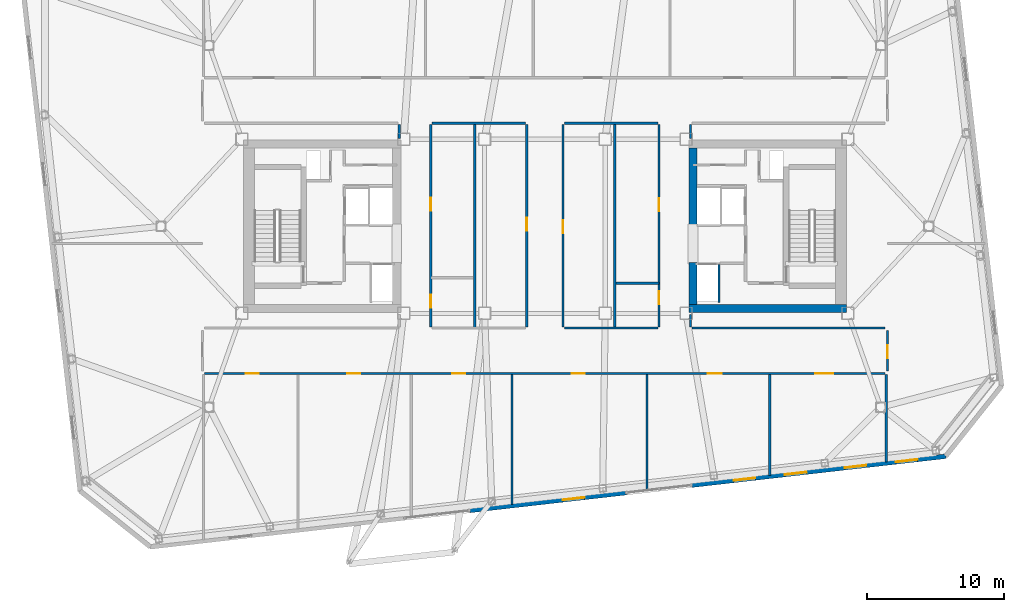
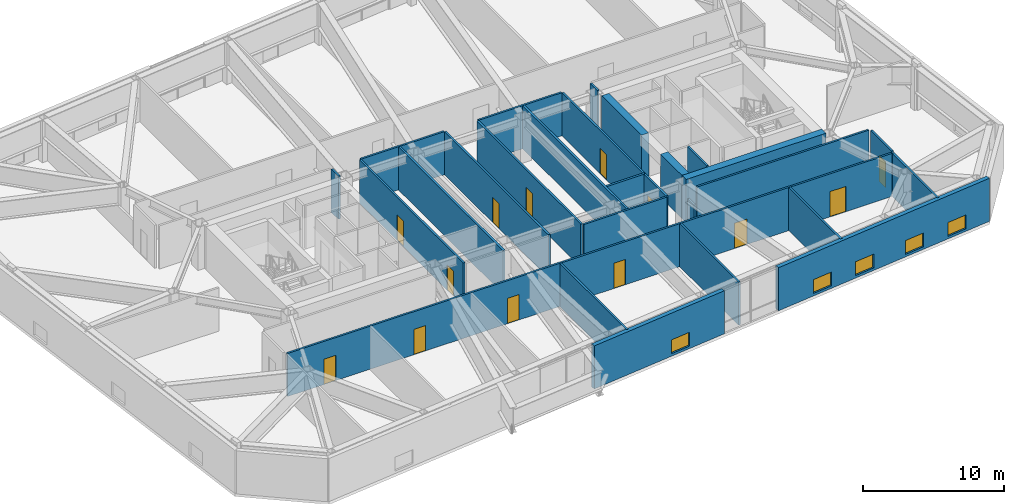
# One storey, part 13 of 20: 26 walls, 13 doors, 5 windows, 18 openings.
"""IFC4 building model written with IfcOpenShell, lengths in metres."""

import ifcopenshell
import ifcopenshell.guid

model = None  # the IFC model being written
_history = None  # IfcOwnerHistory: only IFC2X3 demands one
_inside = {}  # id of a spatial element -> (the spatial element, [elements in it])
_under = {}  # id of a project, library or spatial element -> (it, [spatial elements below it])
_declared = {}  # id of a project -> (the project, [libraries it declares])
_typed = {}  # id of a type object -> (the type object, [elements of that type])
_made_of = {}  # id of a material, layer set ... -> (it, [elements and type objects made of it])


def new_model(schema):
    """Start an empty IFC model of exactly this schema.

    Asked for "IFC4X3", IfcOpenShell would pick the latest addendum, in which some entities
    have other attributes; the version numbers below select the first issue.
    IFC2X3 requires an IfcOwnerHistory on every rooted entity: one is made here for all.
    """
    global model, _history
    if schema == "IFC4X3":
        model = ifcopenshell.file(schema_version=(4, 3, 0, 0))
    else:
        model = ifcopenshell.file(schema=schema)
    _inside.clear()
    _under.clear()
    _declared.clear()
    _typed.clear()
    _made_of.clear()
    _history = None
    if model.schema == "IFC2X3":
        org = make("IfcOrganization", Name="unknown")
        user = make(
            "IfcPersonAndOrganization",
            ThePerson=make("IfcPerson", FamilyName="unknown"),
            TheOrganization=org,
        )
        app = make(
            "IfcApplication",
            ApplicationDeveloper=org,
            Version="unknown",
            ApplicationFullName="unknown",
            ApplicationIdentifier="unknown",
        )
        _history = make(
            "IfcOwnerHistory",
            OwningUser=user,
            OwningApplication=app,
            ChangeAction="ADDED",
            CreationDate=0,
        )
    return model


def make(cls, **values):
    """One entity of the class cls with the attributes given. An attribute that is None is left unset."""
    return model.create_entity(
        cls, **{name: value for name, value in values.items() if value is not None}
    )


def rooted(cls, **values):
    """An entity with a GlobalId (a new one), such as an element, a storey or a relation."""
    return make(cls, GlobalId=ifcopenshell.guid.new(), OwnerHistory=_history, **values)


def si_unit(unit_type, name, prefix=None):
    """IfcSIUnit, for example si_unit("LENGTHUNIT", "METRE", prefix="MILLI")."""
    return make("IfcSIUnit", UnitType=unit_type, Prefix=prefix, Name=name)


def assignment(units):
    """IfcUnitAssignment: the units of a project."""
    return None if units is None else make("IfcUnitAssignment", Units=units)


def point(xyz):
    """IfcCartesianPoint."""
    return None if xyz is None else make("IfcCartesianPoint", Coordinates=xyz)


def direction(xyz):
    """IfcDirection."""
    return None if xyz is None else make("IfcDirection", DirectionRatios=xyz)


def frame(location, z_axis=None, x_axis=None):
    """IfcAxis2Placement3D, a coordinate frame: its origin and axes. An axis left out is left unset."""
    return make(
        "IfcAxis2Placement3D",
        Location=point(location),
        Axis=direction(z_axis),
        RefDirection=direction(x_axis),
    )


def frame_2d(location, x_axis=None):
    """IfcAxis2Placement2D, a coordinate frame in the plane: its origin and x axis."""
    return make(
        "IfcAxis2Placement2D", Location=point(location), RefDirection=direction(x_axis)
    )


def origin():
    """The frame at (0, 0, 0) with its axes left unset."""
    return frame((0.0, 0.0, 0.0))


def place(relative_to, where):
    """IfcLocalPlacement: puts the frame where relative to a parent placement (None: the world)."""
    return make(
        "IfcLocalPlacement", PlacementRelTo=relative_to, RelativePlacement=where
    )


def context(
    kind, dimensions, precision=None, world=None, true_north=None, identifier=None
):
    """IfcGeometricRepresentationContext, for example the 3D "Model" context."""
    return make(
        "IfcGeometricRepresentationContext",
        ContextIdentifier=identifier,
        ContextType=kind,
        CoordinateSpaceDimension=dimensions,
        Precision=precision,
        WorldCoordinateSystem=world,
        TrueNorth=true_north,
    )


def subcontext(parent, identifier, kind, view, scale=None):
    """IfcGeometricRepresentationSubContext, for example "Body" below "Model"."""
    return make(
        "IfcGeometricRepresentationSubContext",
        ContextIdentifier=identifier,
        ContextType=kind,
        ParentContext=parent,
        TargetScale=scale,
        TargetView=view,
    )


def project(units=None, contexts=None):
    """IfcProject with its units and contexts."""
    return rooted(
        "IfcProject",
        Name="project",
        RepresentationContexts=contexts,
        UnitsInContext=assignment(units),
    )


def spatial(cls, under=None, at=None, **own):
    """A site, building, storey or space (cls), placed at a placement, below another one or the project."""
    s = rooted(cls, ObjectPlacement=at, **own)
    if under is not None:
        _under.setdefault(under.id(), (under, []))[1].append(s)
    return s


def profile(cls, at=None, kind="AREA", **sizes):
    """A parametric profile (cls). Its sizes go by their IFC names, for example OverallWidth=200.0."""
    return make(cls, ProfileType=kind, Position=at, **sizes)


def rectangle(**sizes):
    """IfcRectangleProfileDef."""
    return profile("IfcRectangleProfileDef", **sizes)


def extrude(swept, where, along, depth):
    """IfcExtrudedAreaSolid: the profile swept, set in the frame where, extruded along a direction by depth."""
    return make(
        "IfcExtrudedAreaSolid",
        SweptArea=swept,
        Position=where,
        ExtrudedDirection=direction(along),
        Depth=depth,
    )


def shape(context_of_items, identifier, shape_type, items):
    """IfcShapeRepresentation: the items that make up one representation, for example the "Body"."""
    return make(
        "IfcShapeRepresentation",
        ContextOfItems=context_of_items,
        RepresentationIdentifier=identifier,
        RepresentationType=shape_type,
        Items=items,
    )


def material(Name=None, Category=None):
    """IfcMaterial."""
    return make("IfcMaterial", Name=Name, Category=Category)


def layer(
    of_material, thickness, ventilated=None, Name=None, Category=None, Priority=None
):
    """IfcMaterialLayer: one layer of a wall or slab, of a material (None: an air gap)."""
    return make(
        "IfcMaterialLayer",
        Material=of_material,
        LayerThickness=thickness,
        IsVentilated=ventilated,
        Name=Name,
        Category=Category,
        Priority=Priority,
    )


def layer_set(layers, Name=None):
    """IfcMaterialLayerSet."""
    return make("IfcMaterialLayerSet", MaterialLayers=layers, LayerSetName=Name)


def made_of(thing, what):
    """Note that an element or type object is made of a material, layer set ...; save() writes the relation."""
    if what is not None:
        _made_of.setdefault(what.id(), (what, []))[1].append(thing)
    return thing


def type_object(cls, material=None, **own):
    """A type object (cls), such as IfcWallType, which elements share."""
    return made_of(rooted(cls, **own), material)


def element(
    cls,
    number,
    at=None,
    inside=None,
    cuts=None,
    type_object=None,
    material=None,
    context=None,
    identifier="Body",
    shape_type=None,
    held_by="IfcProductDefinitionShape",
    body=None,
    shapes=None,
    **own,
):
    """One element of the class cls, such as IfcWall. Its Tag is "e" and its number.

    at: its placement. inside: the storey or other place that contains it. cuts: it is an
    opening in that element (IfcRelVoidsElement). A single representation is given by context,
    identifier, shape_type and body (its items); several are given by shapes. held_by: the class
    of the entity that holds the representations. save() writes the other relations.
    """
    e = rooted(cls, Tag="e%d" % number, ObjectPlacement=at, **own)
    if body is not None:
        shapes = [shape(context, identifier, shape_type, body)]
    if shapes is not None:
        e.Representation = make(held_by, Representations=shapes)
    if inside is not None:
        _inside.setdefault(inside.id(), (inside, []))[1].append(e)
    if cuts is not None:
        rooted(
            "IfcRelVoidsElement", RelatingBuildingElement=cuts, RelatedOpeningElement=e
        )
    if type_object is not None:
        _typed.setdefault(type_object.id(), (type_object, []))[1].append(e)
    return made_of(e, material)


def fill(opening, filler):
    """IfcRelFillsElement: the door or window that sits in an opening."""
    return rooted(
        "IfcRelFillsElement",
        RelatingOpeningElement=opening,
        RelatedBuildingElement=filler,
    )


def aggregate(whole, parts):
    """IfcRelAggregates: a whole, such as a stair, and the parts it consists of."""
    return rooted("IfcRelAggregates", RelatingObject=whole, RelatedObjects=parts)


def save(model, path):
    """Write the relations noted so far, then the file.

    IfcRelAggregates (storeys below a building ...), IfcRelContainedInSpatialStructure (elements
    in a storey), IfcRelDefinesByType, IfcRelAssociatesMaterial and IfcRelDeclares: one each for
    every whole, place, type object, material and project.
    """
    for whole, parts in _under.values():
        aggregate(whole, parts)
    for where, things in _inside.values():
        rooted(
            "IfcRelContainedInSpatialStructure",
            RelatedElements=things,
            RelatingStructure=where,
        )
    for kind, things in _typed.values():
        rooted("IfcRelDefinesByType", RelatedObjects=things, RelatingType=kind)
    for what, things in _made_of.values():
        rooted("IfcRelAssociatesMaterial", RelatedObjects=things, RelatingMaterial=what)
    for by, libraries in _declared.values():
        rooted("IfcRelDeclares", RelatingContext=by, RelatedDefinitions=libraries)
    model.write(path)


model = new_model("IFC4")

# Units and contexts
model_context = context("Model", 3, precision=1e-05, world=origin(), true_north=direction((0.0, 1.0)))
body_context = subcontext(model_context, "Body", "Model", "MODEL_VIEW")
ifc_project = project(units=[si_unit("LENGTHUNIT", "METRE"), si_unit("AREAUNIT", "SQUARE_METRE"), si_unit("VOLUMEUNIT", "CUBIC_METRE"), si_unit("PLANEANGLEUNIT", "RADIAN"), si_unit("MASSUNIT", "GRAM", prefix="KILO")], contexts=[model_context])

# Site, building, storey
site_placement = place(None, origin())
site = spatial("IfcSite", under=ifc_project, at=site_placement, CompositionType="ELEMENT")
building_placement = place(site_placement, origin())
building = spatial("IfcBuilding", under=site, at=building_placement, Name="Tavrogorsk Clinical Tower", CompositionType="ELEMENT")
storey_placement = place(building_placement, frame((0.0, 0.0, 214.199951171875)))
storey = spatial("IfcBuildingStorey", under=building, at=storey_placement, Name="L49", CompositionType="ELEMENT", Elevation=214.199951171875)

# Walls
ifc_material_1 = material(Name="Lightweight concrete blockwork B15", Category="masonry")
ifc_layer_1 = layer(ifc_material_1, 0.159912109375)
ifc_layer_set_1 = layer_set([ifc_layer_1], Name="Lightweight concrete blockwork B15")
wall_type_1 = type_object("IfcWallType", Name="PartitionWall_160", PredefinedType="PARTITIONING", material=ifc_layer_set_1)
for number, where, z_axis, x_axis, name in (
    (1, (-10.6298828125, 6.419921875, 0.0), (0.0, 0.0, 1.0), (0.0, 1.0, 0.0), "L49 Corridor Partition 04"),
    (2, (10.6298828125, 7.43505859375, 0.0), (0.0, 0.0, 1.0), (0.0, -1.0, 0.0), "L49 Corridor Partition 10"),
):
    element("IfcWall", number, at=place(storey_placement, frame(where, z_axis=z_axis, x_axis=x_axis)), inside=storey, type_object=wall_type_1, Name=name, PredefinedType="PARTITIONING", context=body_context, shape_type="SweptSolid", body=[
        extrude(rectangle(XDim=1.01513671875, YDim=0.159912109375, at=frame_2d((0.507568359375, 0.0))), origin(), (0.0, 0.0, 1.0), 3.739990234375),
    ])
wall_1_placement = place(storey_placement, frame((10.6298828125, -6.419921875, 0.0), z_axis=(0.0, 0.0, 1.0), x_axis=(0.0, -1.0, 0.0)))
element("IfcWall", 3, at=wall_1_placement, inside=storey, type_object=wall_type_1, Name="L49 Corridor Partition 11", PredefinedType="PARTITIONING", context=body_context, shape_type="SweptSolid", body=[
    extrude(rectangle(XDim=0.9150390625, YDim=0.159912109375, at=frame_2d((0.45751953125, 0.0))), origin(), (0.0, 0.0, 1.0), 2.135009765625),
])
wall_2_placement = place(storey_placement, frame((10.715087890625, -7.419921875, 0.0), z_axis=(0.0, 0.0, 1.0), x_axis=(1.0, 0.0, 0.0)))
element("IfcWall", 4, at=wall_2_placement, inside=storey, type_object=wall_type_1, Name="L49 Corridor Partition 12", PredefinedType="PARTITIONING", context=body_context, shape_type="SweptSolid", body=[
    extrude(rectangle(XDim=14.099853515625, YDim=0.159912109375, at=frame_2d((7.0498046875, 0.0))), origin(), (0.0, 0.0, 1.0), 3.739990234375),
])

# Wall, opening, door
wall_3_placement = place(storey_placement, frame((24.97998046875, -7.5849609375, 0.0), z_axis=(0.0, 0.0, 1.0), x_axis=(0.0, -1.0, 0.0)))
wall_3 = element("IfcWall", 5, at=wall_3_placement, inside=storey, type_object=wall_type_1, Name="L49 Corridor Partition 13", PredefinedType="PARTITIONING", context=body_context, shape_type="SweptSolid", body=[
    extrude(rectangle(XDim=2.97998046875, YDim=0.159912109375, at=frame_2d((1.489990234375, 0.0))), origin(), (0.0, 0.0, 1.0), 3.739990234375),
])
opening_1_placement = place(wall_3_placement, frame((1.10009765625, 0.0, 0.0)))
opening_1 = element("IfcOpeningElement", 6, at=opening_1_placement, cuts=wall_3, Name="Opening ID-02", PredefinedType="OPENING", context=body_context, shape_type="SweptSolid", body=[
    extrude(rectangle(XDim=0.949951171875, YDim=2.199951171875, at=frame_2d((0.47509765625, 1.10009765625))), frame((0.0, 0.08984375, 0.0), z_axis=(0.0, -1.0, 0.0), x_axis=(1.0, 0.0, 0.0)), (0.0, 0.0, 1.0), 0.179931640625),
])
ifc_material_2 = material(Name="Laminated timber leaf on aluminium frame", Category="wood")
door_type_1 = type_object("IfcDoorType", Name="InteriorDoor_ID02_950", OperationType="NOTDEFINED", PredefinedType="DOOR", material=ifc_material_2)
door_1_placement = place(opening_1_placement, origin())
door_1 = element("IfcDoor", 7, at=door_1_placement, inside=storey, type_object=door_type_1, Name="L49 E Senior Clinician Suite 1 Door", OperationType="SINGLE_SWING_LEFT", OverallHeight=2.199951171875, OverallWidth=0.949951171875, PredefinedType="DOOR", context=body_context, shape_type="SweptSolid", body=[
    extrude(rectangle(XDim=0.949951171875, YDim=2.199951171875, at=frame_2d((0.47509765625, 1.10009765625))), frame((0.0, 0.02490234375, 0.0), z_axis=(0.0, -1.0, 0.0), x_axis=(1.0, 0.0, 0.0)), (0.0, 0.0, 1.0), 0.050048828125),
])
fill(opening_1, door_1)

# Wall, openings, doors
wall_4_placement = place(storey_placement, frame((24.81494140625, -10.72998046875, 0.0), z_axis=(0.0, 0.0, 1.0), x_axis=(-1.0, 0.0, 0.0)))
wall_4 = element("IfcWall", 8, at=wall_4_placement, inside=storey, type_object=wall_type_1, Name="L49 Corridor Partition 14", PredefinedType="PARTITIONING", context=body_context, shape_type="SweptSolid", body=[
    extrude(rectangle(XDim=49.6298828125, YDim=0.159912109375, at=frame_2d((24.81494140625, 0.0))), origin(), (0.0, 0.0, 1.0), 3.739990234375),
])
opening_2_placement = place(wall_4_placement, frame((45.680908203125, 0.0, 0.0)))
opening_2 = element("IfcOpeningElement", 9, at=opening_2_placement, cuts=wall_4, Name="Opening ID-02", PredefinedType="OPENING", context=body_context, shape_type="SweptSolid", body=[
    extrude(rectangle(XDim=0.949951171875, YDim=2.199951171875, at=frame_2d((0.47509765625, 1.10009765625))), frame((0.0, 0.08984375, 0.0), z_axis=(0.0, -1.0, 0.0), x_axis=(1.0, 0.0, 0.0)), (0.0, 0.0, 1.0), 0.179931640625),
])
opening_3_placement = place(wall_4_placement, frame((38.300048828125, 0.0, 0.0)))
opening_3 = element("IfcOpeningElement", 10, at=opening_3_placement, cuts=wall_4, Name="Opening ID-02", PredefinedType="OPENING", context=body_context, shape_type="SweptSolid", body=[
    extrude(rectangle(XDim=0.949951171875, YDim=2.199951171875, at=frame_2d((0.47509765625, 1.10009765625))), frame((0.0, 0.08984375, 0.0), z_axis=(0.0, -1.0, 0.0), x_axis=(1.0, 0.0, 0.0)), (0.0, 0.0, 1.0), 0.179931640625),
])
opening_4_placement = place(wall_4_placement, frame((30.6201171875, 0.0, 0.0)))
opening_4 = element("IfcOpeningElement", 11, at=opening_4_placement, cuts=wall_4, Name="Opening ID-02", PredefinedType="OPENING", context=body_context, shape_type="SweptSolid", body=[
    extrude(rectangle(XDim=0.949951171875, YDim=2.199951171875, at=frame_2d((0.47509765625, 1.10009765625))), frame((0.0, 0.08984375, 0.0), z_axis=(0.0, -1.0, 0.0), x_axis=(1.0, 0.0, 0.0)), (0.0, 0.0, 1.0), 0.179931640625),
])
opening_5_placement = place(wall_4_placement, frame((21.89990234375, 0.0, 0.0)))
opening_5 = element("IfcOpeningElement", 12, at=opening_5_placement, cuts=wall_4, Name="Opening ID-02", PredefinedType="OPENING", context=body_context, shape_type="SweptSolid", body=[
    extrude(rectangle(XDim=0.949951171875, YDim=2.199951171875, at=frame_2d((0.47509765625, 1.10009765625))), frame((0.0, 0.08984375, 0.0), z_axis=(0.0, -1.0, 0.0), x_axis=(1.0, 0.0, 0.0)), (0.0, 0.0, 1.0), 0.179931640625),
])
opening_6_placement = place(wall_4_placement, frame((11.89990234375, 0.0, 0.0)))
opening_6 = element("IfcOpeningElement", 13, at=opening_6_placement, cuts=wall_4, Name="Opening ID-04", PredefinedType="OPENING", context=body_context, shape_type="SweptSolid", body=[
    extrude(rectangle(XDim=1.050048828125, YDim=2.199951171875, at=frame_2d((0.52490234375, 1.10009765625))), frame((0.0, 0.08984375, 0.0), z_axis=(0.0, -1.0, 0.0), x_axis=(1.0, 0.0, 0.0)), (0.0, 0.0, 1.0), 0.179931640625),
])
opening_7_placement = place(wall_4_placement, frame((3.794189453125, 0.0, 0.0)))
opening_7 = element("IfcOpeningElement", 14, at=opening_7_placement, cuts=wall_4, Name="Opening ID-01", PredefinedType="OPENING", context=body_context, shape_type="SweptSolid", body=[
    extrude(rectangle(XDim=1.300048828125, YDim=2.199951171875, at=frame_2d((0.64990234375, 1.10009765625))), frame((0.0, 0.08984375, 0.0), z_axis=(0.0, -1.0, 0.0), x_axis=(1.0, 0.0, 0.0)), (0.0, 0.0, 1.0), 0.179931640625),
])
ifc_material_3 = material(Name="Antibacterial HPL consultation door on aluminium frame", Category="aluminium")
door_type_2 = type_object("IfcDoorType", Name="ConsultDoor_ID04_1050", OperationType="NOTDEFINED", PredefinedType="DOOR", material=ifc_material_3)
door_2_placement = place(opening_6_placement, origin())
door_2 = element("IfcDoor", 15, at=door_2_placement, inside=storey, type_object=door_type_2, Name="L49 South Attending Physician Office 03B Door", OperationType="SINGLE_SWING_LEFT", OverallHeight=2.199951171875, OverallWidth=1.050048828125, PredefinedType="DOOR", context=body_context, shape_type="SweptSolid", body=[
    extrude(rectangle(XDim=1.050048828125, YDim=2.199951171875, at=frame_2d((0.52490234375, 1.10009765625))), frame((0.0, 0.02490234375, 0.0), z_axis=(0.0, -1.0, 0.0), x_axis=(1.0, 0.0, 0.0)), (0.0, 0.0, 1.0), 0.050048828125),
])
fill(opening_6, door_2)
door_3_placement = place(opening_2_placement, origin())
door_3 = element("IfcDoor", 16, at=door_3_placement, inside=storey, type_object=door_type_1, Name="L49 South Soiled Utility & Sluice Room 01 Door", OperationType="SINGLE_SWING_LEFT", OverallHeight=2.199951171875, OverallWidth=0.949951171875, PredefinedType="DOOR", context=body_context, shape_type="SweptSolid", body=[
    extrude(rectangle(XDim=0.949951171875, YDim=2.199951171875, at=frame_2d((0.47509765625, 1.10009765625))), frame((0.0, 0.02490234375, 0.0), z_axis=(0.0, -1.0, 0.0), x_axis=(1.0, 0.0, 0.0)), (0.0, 0.0, 1.0), 0.050048828125),
])
fill(opening_2, door_3)
door_4_placement = place(opening_3_placement, origin())
door_4 = element("IfcDoor", 17, at=door_4_placement, inside=storey, type_object=door_type_1, Name="L49 South Clinical Case Seminar Room 02A Door", OperationType="SINGLE_SWING_RIGHT", OverallHeight=2.199951171875, OverallWidth=0.949951171875, PredefinedType="DOOR", context=body_context, shape_type="SweptSolid", body=[
    extrude(rectangle(XDim=0.949951171875, YDim=2.199951171875, at=frame_2d((0.47509765625, 1.10009765625))), frame((0.0, 0.02490234375, 0.0), z_axis=(0.0, -1.0, 0.0), x_axis=(1.0, 0.0, 0.0)), (0.0, 0.0, 1.0), 0.050048828125),
])
fill(opening_3, door_4)
door_5_placement = place(opening_4_placement, origin())
door_5 = element("IfcDoor", 18, at=door_5_placement, inside=storey, type_object=door_type_1, Name="L49 South Cardiology Diagnostics Room 02B Door", OperationType="SINGLE_SWING_LEFT", OverallHeight=2.199951171875, OverallWidth=0.949951171875, PredefinedType="DOOR", context=body_context, shape_type="SweptSolid", body=[
    extrude(rectangle(XDim=0.949951171875, YDim=2.199951171875, at=frame_2d((0.47509765625, 1.10009765625))), frame((0.0, 0.02490234375, 0.0), z_axis=(0.0, -1.0, 0.0), x_axis=(1.0, 0.0, 0.0)), (0.0, 0.0, 1.0), 0.050048828125),
])
fill(opening_4, door_5)
door_6_placement = place(opening_5_placement, origin())
door_6 = element("IfcDoor", 19, at=door_6_placement, inside=storey, type_object=door_type_1, Name="L49 South Staff Rest & Nourishment Lounge 03A Door", OperationType="SINGLE_SWING_RIGHT", OverallHeight=2.199951171875, OverallWidth=0.949951171875, PredefinedType="DOOR", context=body_context, shape_type="SweptSolid", body=[
    extrude(rectangle(XDim=0.949951171875, YDim=2.199951171875, at=frame_2d((0.47509765625, 1.10009765625))), frame((0.0, 0.02490234375, 0.0), z_axis=(0.0, -1.0, 0.0), x_axis=(1.0, 0.0, 0.0)), (0.0, 0.0, 1.0), 0.050048828125),
])
fill(opening_5, door_6)
ifc_material_4 = material(Name="Antibacterial HPL medical leaf on aluminium frame", Category="aluminium")
door_type_3 = type_object("IfcDoorType", Name="WardBedDoor_ID01_1300", OperationType="NOTDEFINED", PredefinedType="DOOR", material=ifc_material_4)
door_7_placement = place(opening_7_placement, origin())
door_7 = element("IfcDoor", 20, at=door_7_placement, inside=storey, type_object=door_type_3, Name="L49 South Bariatric Observation Ward 04 Door", OperationType="SINGLE_SWING_RIGHT", OverallHeight=2.199951171875, OverallWidth=1.300048828125, PredefinedType="DOOR", context=body_context, shape_type="SweptSolid", body=[
    extrude(rectangle(XDim=1.300048828125, YDim=2.199951171875, at=frame_2d((0.64990234375, 1.10009765625))), frame((0.0, 0.02490234375, 0.0), z_axis=(0.0, -1.0, 0.0), x_axis=(1.0, 0.0, 0.0)), (0.0, 0.0, 1.0), 0.050048828125),
])
fill(opening_7, door_7)

# Wall
wall_5_placement = place(storey_placement, frame((8.235107421875, 7.52001953125, 0.0), z_axis=(0.0, 0.0, 1.0), x_axis=(-1.0, 0.0, 0.0)))
element("IfcWall", 21, at=wall_5_placement, inside=storey, type_object=wall_type_1, Name="L49 Corridor Partition 15", PredefinedType="PARTITIONING", context=body_context, shape_type="SweptSolid", body=[
    extrude(rectangle(XDim=6.820068359375, YDim=0.159912109375, at=frame_2d((3.41015625, 0.0))), origin(), (0.0, 0.0, 1.0), 3.739990234375),
])

# Wall, opening, door
wall_6_placement = place(storey_placement, frame((1.330078125, 7.43505859375, 0.0), z_axis=(0.0, 0.0, 1.0), x_axis=(0.0, -1.0, 0.0)))
wall_6 = element("IfcWall", 22, at=wall_6_placement, inside=storey, type_object=wall_type_1, Name="L49 Corridor Partition 16", PredefinedType="PARTITIONING", context=body_context, shape_type="SweptSolid", body=[
    extrude(rectangle(XDim=14.77001953125, YDim=0.159912109375, at=frame_2d((7.385009765625, 0.0))), origin(), (0.0, 0.0, 1.0), 3.739990234375),
])
opening_8_placement = place(wall_6_placement, frame((6.9951171875, 0.0, 0.0)))
opening_8 = element("IfcOpeningElement", 23, at=opening_8_placement, cuts=wall_6, Name="Opening ID-02", PredefinedType="OPENING", context=body_context, shape_type="SweptSolid", body=[
    extrude(rectangle(XDim=0.949951171875, YDim=2.199951171875, at=frame_2d((0.47509765625, 1.10009765625))), frame((0.0, 0.08984375, 0.0), z_axis=(0.0, -1.0, 0.0), x_axis=(1.0, 0.0, 0.0)), (0.0, 0.0, 1.0), 0.179931640625),
])
door_8_placement = place(opening_8_placement, origin())
door_8 = element("IfcDoor", 24, at=door_8_placement, inside=storey, type_object=door_type_1, Name="L49 Clean Medication Preparation Room Door", OperationType="SINGLE_SWING_RIGHT", OverallHeight=2.199951171875, OverallWidth=0.949951171875, PredefinedType="DOOR", context=body_context, shape_type="SweptSolid", body=[
    extrude(rectangle(XDim=0.949951171875, YDim=2.199951171875, at=frame_2d((0.47509765625, 1.10009765625))), frame((0.0, 0.02490234375, 0.0), z_axis=(0.0, -1.0, 0.0), x_axis=(1.0, 0.0, 0.0)), (0.0, 0.0, 1.0), 0.050048828125),
])
fill(opening_8, door_8)

# Wall
wall_7_placement = place(storey_placement, frame((1.4150390625, -7.419921875, 0.0), z_axis=(0.0, 0.0, 1.0), x_axis=(1.0, 0.0, 0.0)))
element("IfcWall", 25, at=wall_7_placement, inside=storey, type_object=wall_type_1, Name="L49 Corridor Partition 17", PredefinedType="PARTITIONING", context=body_context, shape_type="SweptSolid", body=[
    extrude(rectangle(XDim=6.820068359375, YDim=0.159912109375, at=frame_2d((3.41015625, 0.0))), origin(), (0.0, 0.0, 1.0), 3.739990234375),
])

# Wall, openings, doors
wall_8_placement = place(storey_placement, frame((8.320068359375, -7.3349609375, 0.0), z_axis=(0.0, 0.0, 1.0), x_axis=(0.0, 1.0, 0.0)))
wall_8 = element("IfcWall", 26, at=wall_8_placement, inside=storey, type_object=wall_type_1, Name="L49 Corridor Partition 18", PredefinedType="PARTITIONING", context=body_context, shape_type="SweptSolid", body=[
    extrude(rectangle(XDim=14.77001953125, YDim=0.159912109375, at=frame_2d((7.385009765625, 0.0))), origin(), (0.0, 0.0, 1.0), 3.739990234375),
])
opening_9_placement = place(wall_8_placement, frame((1.654052734375, 0.0, 0.0)))
opening_9 = element("IfcOpeningElement", 27, at=opening_9_placement, cuts=wall_8, Name="Opening ID-02", PredefinedType="OPENING", context=body_context, shape_type="SweptSolid", body=[
    extrude(rectangle(XDim=0.949951171875, YDim=2.199951171875, at=frame_2d((0.47509765625, 1.10009765625))), frame((0.0, 0.08984375, 0.0), z_axis=(0.0, -1.0, 0.0), x_axis=(1.0, 0.0, 0.0)), (0.0, 0.0, 1.0), 0.179931640625),
])
opening_10_placement = place(wall_8_placement, frame((8.435791015625, 0.0, 0.0)))
opening_10 = element("IfcOpeningElement", 28, at=opening_10_placement, cuts=wall_8, Name="Opening ID-02", PredefinedType="OPENING", context=body_context, shape_type="SweptSolid", body=[
    extrude(rectangle(XDim=0.949951171875, YDim=2.199951171875, at=frame_2d((0.47509765625, 1.10009765625))), frame((0.0, 0.08984375, 0.0), z_axis=(0.0, -1.0, 0.0), x_axis=(1.0, 0.0, 0.0)), (0.0, 0.0, 1.0), 0.179931640625),
])
door_9_placement = place(opening_9_placement, origin())
door_9 = element("IfcDoor", 29, at=door_9_placement, inside=storey, type_object=door_type_1, Name="L49 Staff & Visitor Accessible WC Door", OperationType="SINGLE_SWING_LEFT", OverallHeight=2.199951171875, OverallWidth=0.949951171875, PredefinedType="DOOR", context=body_context, shape_type="SweptSolid", body=[
    extrude(rectangle(XDim=0.949951171875, YDim=2.199951171875, at=frame_2d((0.47509765625, 1.10009765625))), frame((0.0, 0.02490234375, 0.0), z_axis=(0.0, -1.0, 0.0), x_axis=(1.0, 0.0, 0.0)), (0.0, 0.0, 1.0), 0.050048828125),
])
fill(opening_9, door_9)
door_10_placement = place(opening_10_placement, origin())
door_10 = element("IfcDoor", 30, at=door_10_placement, inside=storey, type_object=door_type_1, Name="L49 Resident Clinician Study Door", OperationType="SINGLE_SWING_RIGHT", OverallHeight=2.199951171875, OverallWidth=0.949951171875, PredefinedType="DOOR", context=body_context, shape_type="SweptSolid", body=[
    extrude(rectangle(XDim=0.949951171875, YDim=2.199951171875, at=frame_2d((0.47509765625, 1.10009765625))), frame((0.0, 0.02490234375, 0.0), z_axis=(0.0, -1.0, 0.0), x_axis=(1.0, 0.0, 0.0)), (0.0, 0.0, 1.0), 0.050048828125),
])
fill(opening_10, door_10)

# Wall, opening, door
wall_9_placement = place(storey_placement, frame((-1.330078125, -7.3349609375, 0.0), z_axis=(0.0, 0.0, 1.0), x_axis=(0.0, 1.0, 0.0)))
wall_9 = element("IfcWall", 31, at=wall_9_placement, inside=storey, type_object=wall_type_1, Name="L49 Corridor Partition 19", PredefinedType="PARTITIONING", context=body_context, shape_type="SweptSolid", body=[
    extrude(rectangle(XDim=14.77001953125, YDim=0.159912109375, at=frame_2d((7.385009765625, 0.0))), origin(), (0.0, 0.0, 1.0), 3.739990234375),
])
opening_11_placement = place(wall_9_placement, frame((6.9951171875, 0.0, 0.0)))
opening_11 = element("IfcOpeningElement", 32, at=opening_11_placement, cuts=wall_9, Name="Opening ID-02", PredefinedType="OPENING", context=body_context, shape_type="SweptSolid", body=[
    extrude(rectangle(XDim=0.949951171875, YDim=2.199951171875, at=frame_2d((0.47509765625, 1.10009765625))), frame((0.0, 0.08984375, 0.0), z_axis=(0.0, -1.0, 0.0), x_axis=(1.0, 0.0, 0.0)), (0.0, 0.0, 1.0), 0.179931640625),
])
door_11_placement = place(opening_11_placement, origin())
door_11 = element("IfcDoor", 33, at=door_11_placement, inside=storey, type_object=door_type_1, Name="L49 Nurses' Station & Telemetry Hub Door", OperationType="SINGLE_SWING_LEFT", OverallHeight=2.199951171875, OverallWidth=0.949951171875, PredefinedType="DOOR", context=body_context, shape_type="SweptSolid", body=[
    extrude(rectangle(XDim=0.949951171875, YDim=2.199951171875, at=frame_2d((0.47509765625, 1.10009765625))), frame((0.0, 0.02490234375, 0.0), z_axis=(0.0, -1.0, 0.0), x_axis=(1.0, 0.0, 0.0)), (0.0, 0.0, 1.0), 0.050048828125),
])
fill(opening_11, door_11)

# Wall
wall_10_placement = place(storey_placement, frame((-1.4150390625, 7.52001953125, 0.0), z_axis=(0.0, 0.0, 1.0), x_axis=(-1.0, 0.0, 0.0)))
element("IfcWall", 34, at=wall_10_placement, inside=storey, type_object=wall_type_1, Name="L49 Corridor Partition 20", PredefinedType="PARTITIONING", context=body_context, shape_type="SweptSolid", body=[
    extrude(rectangle(XDim=6.820068359375, YDim=0.159912109375, at=frame_2d((3.41015625, 0.0))), origin(), (0.0, 0.0, 1.0), 3.739990234375),
])

# Wall, openings, doors
wall_11_placement = place(storey_placement, frame((-8.320068359375, 7.43505859375, 0.0), z_axis=(0.0, 0.0, 1.0), x_axis=(0.0, -1.0, 0.0)))
wall_11 = element("IfcWall", 35, at=wall_11_placement, inside=storey, type_object=wall_type_1, Name="L49 Corridor Partition 21", PredefinedType="PARTITIONING", context=body_context, shape_type="SweptSolid", body=[
    extrude(rectangle(XDim=14.77001953125, YDim=0.159912109375, at=frame_2d((7.385009765625, 0.0))), origin(), (0.0, 0.0, 1.0), 3.739990234375),
])
opening_12_placement = place(wall_11_placement, frame((12.435791015625, 0.0, 0.0)))
opening_12 = element("IfcOpeningElement", 36, at=opening_12_placement, cuts=wall_11, Name="Opening ID-02", PredefinedType="OPENING", context=body_context, shape_type="SweptSolid", body=[
    extrude(rectangle(XDim=0.949951171875, YDim=2.199951171875, at=frame_2d((0.47509765625, 1.10009765625))), frame((0.0, 0.08984375, 0.0), z_axis=(0.0, -1.0, 0.0), x_axis=(1.0, 0.0, 0.0)), (0.0, 0.0, 1.0), 0.179931640625),
])
opening_13_placement = place(wall_11_placement, frame((5.35400390625, 0.0, 0.0)))
opening_13 = element("IfcOpeningElement", 37, at=opening_13_placement, cuts=wall_11, Name="Opening ID-02", PredefinedType="OPENING", context=body_context, shape_type="SweptSolid", body=[
    extrude(rectangle(XDim=0.949951171875, YDim=2.199951171875, at=frame_2d((0.47509765625, 1.10009765625))), frame((0.0, 0.08984375, 0.0), z_axis=(0.0, -1.0, 0.0), x_axis=(1.0, 0.0, 0.0)), (0.0, 0.0, 1.0), 0.179931640625),
])
door_12_placement = place(opening_12_placement, origin())
door_12 = element("IfcDoor", 38, at=door_12_placement, inside=storey, type_object=door_type_1, Name="L49 Accessible Patient Lavatory Door", OperationType="SINGLE_SWING_LEFT", OverallHeight=2.199951171875, OverallWidth=0.949951171875, PredefinedType="DOOR", context=body_context, shape_type="SweptSolid", body=[
    extrude(rectangle(XDim=0.949951171875, YDim=2.199951171875, at=frame_2d((0.47509765625, 1.10009765625))), frame((0.0, 0.02490234375, 0.0), z_axis=(0.0, -1.0, 0.0), x_axis=(1.0, 0.0, 0.0)), (0.0, 0.0, 1.0), 0.050048828125),
])
fill(opening_12, door_12)
door_13_placement = place(opening_13_placement, origin())
door_13 = element("IfcDoor", 39, at=door_13_placement, inside=storey, type_object=door_type_1, Name="L49 Ward Nourishment Pantry Door", OperationType="SINGLE_SWING_RIGHT", OverallHeight=2.199951171875, OverallWidth=0.949951171875, PredefinedType="DOOR", context=body_context, shape_type="SweptSolid", body=[
    extrude(rectangle(XDim=0.949951171875, YDim=2.199951171875, at=frame_2d((0.47509765625, 1.10009765625))), frame((0.0, 0.02490234375, 0.0), z_axis=(0.0, -1.0, 0.0), x_axis=(1.0, 0.0, 0.0)), (0.0, 0.0, 1.0), 0.050048828125),
])
fill(opening_13, door_13)

# Walls
wall_12_placement = place(storey_placement, frame((24.89990234375, -17.199462890625, 0.0), z_axis=(0.0, 0.0, 1.0), x_axis=(0.0, 1.0, 0.0)))
element("IfcWall", 40, at=wall_12_placement, inside=storey, type_object=wall_type_1, Name="L49 SE Wing Closure Partition", PredefinedType="PARTITIONING", context=body_context, shape_type="SweptSolid", body=[
    extrude(rectangle(XDim=6.384521484375, YDim=0.159912109375, at=frame_2d((3.1923828125, 0.0))), origin(), (0.0, 0.0, 1.0), 3.739990234375),
])
wall_13_placement = place(storey_placement, frame((-2.39990234375, -20.309814453125, 0.0), z_axis=(0.0, 0.0, 1.0), x_axis=(0.0, 1.0, 0.0)))
element("IfcWall", 41, at=wall_13_placement, inside=storey, type_object=wall_type_1, Name="L49 South Room Partition 2", PredefinedType="PARTITIONING", context=body_context, shape_type="SweptSolid", body=[
    extrude(rectangle(XDim=9.494873046875, YDim=0.159912109375, at=frame_2d((4.74755859375, 0.0))), origin(), (0.0, 0.0, 1.0), 3.739990234375),
])
wall_14_placement = place(storey_placement, frame((16.39990234375, -18.167724609375, 0.0), z_axis=(0.0, 0.0, 1.0), x_axis=(0.0, 1.0, 0.0)))
element("IfcWall", 42, at=wall_14_placement, inside=storey, type_object=wall_type_1, Name="L49 South Room Partition 3", PredefinedType="PARTITIONING", context=body_context, shape_type="SweptSolid", body=[
    extrude(rectangle(XDim=7.352783203125, YDim=0.159912109375, at=frame_2d((3.67626953125, 0.0))), origin(), (0.0, 0.0, 1.0), 3.739990234375),
])
wall_15_placement = place(storey_placement, frame((7.449951171875, -19.1875, 0.0), z_axis=(0.0, 0.0, 1.0), x_axis=(0.0, 1.0, 0.0)))
element("IfcWall", 43, at=wall_15_placement, inside=storey, type_object=wall_type_1, Name="L49 South Sub-Partition 3", PredefinedType="PARTITIONING", context=body_context, shape_type="SweptSolid", body=[
    extrude(rectangle(XDim=8.37255859375, YDim=0.159912109375, at=frame_2d((4.186279296875, 0.0))), origin(), (0.0, 0.0, 1.0), 3.739990234375),
])
ifc_material_5 = material(Name="Lightweight concrete blockwork B20", Category="masonry")
ifc_layer_2 = layer(ifc_material_5, 0.179931640625)
ifc_layer_set_2 = layer_set([ifc_layer_2], Name="Lightweight concrete blockwork B20")
wall_type_2 = type_object("IfcWallType", Name="PartitionWall_180", PredefinedType="PARTITIONING", material=ifc_layer_set_2)
for number, where, z_axis, x_axis, name in (
    (44, (-5.10009765625, -7.4150390625, 0.0), (0.0, 0.0, 1.0), (0.0, 1.0, 0.0), "L49 Central Spine Partition 1"),
    (45, (5.10009765625, -7.4150390625, 0.0), (0.0, 0.0, 1.0), (0.0, 1.0, 0.0), "L49 Central Spine Partition 2"),
):
    element("IfcWall", number, at=place(storey_placement, frame(where, z_axis=z_axis, x_axis=x_axis)), inside=storey, type_object=wall_type_2, Name=name, PredefinedType="PARTITIONING", context=body_context, shape_type="SweptSolid", body=[
        extrude(rectangle(XDim=14.929931640625, YDim=0.179931640625, at=frame_2d((7.46484375, 0.0))), origin(), (0.0, 0.0, 1.0), 3.739990234375),
    ])
wall_16_placement = place(storey_placement, frame((5.195068359375, -4.14990234375, 0.0), z_axis=(0.0, 0.0, 1.0), x_axis=(1.0, 0.0, 0.0)))
element("IfcWall", 46, at=wall_16_placement, inside=storey, type_object=wall_type_2, Name="L49 Central Spine Partition 4", PredefinedType="PARTITIONING", context=body_context, shape_type="SweptSolid", body=[
    extrude(rectangle(XDim=3.119873046875, YDim=0.179931640625, at=frame_2d((1.56005859375, 0.0))), origin(), (0.0, 0.0, 1.0), 3.739990234375),
])

# Wall, opening, window
ifc_material_6 = material(Name="Precast concrete B45 with limestone cladding", Category="masonry")
ifc_layer_3 = layer(ifc_material_6, 0.340087890625)
ifc_layer_set_3 = layer_set([ifc_layer_3], Name="Precast concrete B45 with limestone cladding")
wall_type_3 = type_object("IfcWallType", Name="PrecastLimestoneWall_340", PredefinedType="STANDARD", material=ifc_layer_set_3)
wall_17_placement = place(storey_placement, frame((-5.48193359375, -20.7314453125, 0.0), z_axis=(0.0, 0.0, 1.0), x_axis=(0.993571968199, 0.113202226169, 0.0)))
wall_17 = element("IfcWall", 47, at=wall_17_placement, inside=storey, type_object=wall_type_3, Name="L49 S Limestone Facade Wall 2", PredefinedType="STANDARD", context=body_context, shape_type="SweptSolid", body=[
    extrude(rectangle(XDim=11.497314453125, YDim=0.340087890625, at=frame_2d((5.74853515625, 0.0))), origin(), (0.0, 0.0, 1.0), 3.739990234375),
])
opening_14_placement = place(wall_17_placement, frame((6.82275390625, 0.0, 0.219970703125)))
opening_14 = element("IfcOpeningElement", 48, at=opening_14_placement, cuts=wall_17, Name="Opening WN-09", PredefinedType="OPENING", context=body_context, shape_type="SweptSolid", body=[
    extrude(rectangle(XDim=1.60009765625, YDim=1.199951171875, at=frame_2d((0.800048828125, 0.60009765625))), frame((0.0, 0.179931640625, 0.0), z_axis=(0.0, -1.0, 0.0), x_axis=(1.0, 0.0, 0.0)), (0.0, 0.0, 1.0), 0.360107421875),
])
ifc_material_7 = material(Name="Thermally broken aluminium frame and triple IGU", Category="aluminium")
window_type = type_object("IfcWindowType", Name="LowHeadTransWin_1600x1200", PartitioningType="DOUBLE_PANEL_VERTICAL", PredefinedType="WINDOW", material=ifc_material_7)
window_1_placement = place(opening_14_placement, origin())
window_1 = element("IfcWindow", 49, at=window_1_placement, inside=storey, type_object=window_type, Name="L49 S Chicago Window 06", OverallHeight=1.199951171875, OverallWidth=1.60009765625, PartitioningType="SINGLE_PANEL", PredefinedType="WINDOW", context=body_context, shape_type="SweptSolid", body=[
    extrude(rectangle(XDim=1.60009765625, YDim=1.199951171875, at=frame_2d((0.800048828125, 0.60009765625))), frame((0.0, 0.030029296875, 0.0), z_axis=(0.0, -1.0, 0.0), x_axis=(1.0, 0.0, 0.0)), (0.0, 0.0, 1.0), 0.06005859375),
])
fill(opening_14, window_1)

# Wall, openings, windows
wall_18_placement = place(storey_placement, frame((10.71044921875, -18.886474609375, 0.0), z_axis=(0.0, 0.0, 1.0), x_axis=(0.993572271362, 0.113199565282, 0.0)))
wall_18 = element("IfcWall", 50, at=wall_18_placement, inside=storey, type_object=wall_type_3, Name="L49 S Limestone Facade Wall 3", PredefinedType="STANDARD", context=body_context, shape_type="SweptSolid", body=[
    extrude(rectangle(XDim=18.6513671875, YDim=0.340087890625, at=frame_2d((9.32568359375, 0.0))), origin(), (0.0, 0.0, 1.0), 3.739990234375),
])
opening_15_placement = place(wall_18_placement, frame((3.074462890625, 0.0, 0.219970703125)))
opening_15 = element("IfcOpeningElement", 51, at=opening_15_placement, cuts=wall_18, Name="Opening WN-09", PredefinedType="OPENING", context=body_context, shape_type="SweptSolid", body=[
    extrude(rectangle(XDim=1.60009765625, YDim=1.199951171875, at=frame_2d((0.800048828125, 0.60009765625))), frame((0.0, 0.179931640625, 0.0), z_axis=(0.0, -1.0, 0.0), x_axis=(1.0, 0.0, 0.0)), (0.0, 0.0, 1.0), 0.360107421875),
])
opening_16_placement = place(wall_18_placement, frame((6.82275390625, 0.0, 0.219970703125)))
opening_16 = element("IfcOpeningElement", 52, at=opening_16_placement, cuts=wall_18, Name="Opening WN-09", PredefinedType="OPENING", context=body_context, shape_type="SweptSolid", body=[
    extrude(rectangle(XDim=1.60009765625, YDim=1.199951171875, at=frame_2d((0.800048828125, 0.60009765625))), frame((0.0, 0.179931640625, 0.0), z_axis=(0.0, -1.0, 0.0), x_axis=(1.0, 0.0, 0.0)), (0.0, 0.0, 1.0), 0.360107421875),
])
opening_17_placement = place(wall_18_placement, frame((11.222900390625, 0.0, 0.219970703125)))
opening_17 = element("IfcOpeningElement", 53, at=opening_17_placement, cuts=wall_18, Name="Opening WN-09", PredefinedType="OPENING", context=body_context, shape_type="SweptSolid", body=[
    extrude(rectangle(XDim=1.60009765625, YDim=1.199951171875, at=frame_2d((0.800048828125, 0.60009765625))), frame((0.0, 0.179931640625, 0.0), z_axis=(0.0, -1.0, 0.0), x_axis=(1.0, 0.0, 0.0)), (0.0, 0.0, 1.0), 0.360107421875),
])
opening_18_placement = place(wall_18_placement, frame((14.97119140625, 0.0, 0.219970703125)))
opening_18 = element("IfcOpeningElement", 54, at=opening_18_placement, cuts=wall_18, Name="Opening WN-09", PredefinedType="OPENING", context=body_context, shape_type="SweptSolid", body=[
    extrude(rectangle(XDim=1.60009765625, YDim=1.199951171875, at=frame_2d((0.800048828125, 0.60009765625))), frame((0.0, 0.179931640625, 0.0), z_axis=(0.0, -1.0, 0.0), x_axis=(1.0, 0.0, 0.0)), (0.0, 0.0, 1.0), 0.360107421875),
])
window_2_placement = place(opening_15_placement, origin())
window_2 = element("IfcWindow", 55, at=window_2_placement, inside=storey, type_object=window_type, Name="L49 S Chicago Window 07", OverallHeight=1.199951171875, OverallWidth=1.60009765625, PartitioningType="SINGLE_PANEL", PredefinedType="WINDOW", context=body_context, shape_type="SweptSolid", body=[
    extrude(rectangle(XDim=1.60009765625, YDim=1.199951171875, at=frame_2d((0.800048828125, 0.60009765625))), frame((0.0, 0.030029296875, 0.0), z_axis=(0.0, -1.0, 0.0), x_axis=(1.0, 0.0, 0.0)), (0.0, 0.0, 1.0), 0.06005859375),
])
fill(opening_15, window_2)
window_3_placement = place(opening_16_placement, origin())
window_3 = element("IfcWindow", 56, at=window_3_placement, inside=storey, type_object=window_type, Name="L49 S Chicago Window 08", OverallHeight=1.199951171875, OverallWidth=1.60009765625, PartitioningType="SINGLE_PANEL", PredefinedType="WINDOW", context=body_context, shape_type="SweptSolid", body=[
    extrude(rectangle(XDim=1.60009765625, YDim=1.199951171875, at=frame_2d((0.800048828125, 0.60009765625))), frame((0.0, 0.030029296875, 0.0), z_axis=(0.0, -1.0, 0.0), x_axis=(1.0, 0.0, 0.0)), (0.0, 0.0, 1.0), 0.06005859375),
])
fill(opening_16, window_3)
window_4_placement = place(opening_17_placement, origin())
window_4 = element("IfcWindow", 57, at=window_4_placement, inside=storey, type_object=window_type, Name="L49 S Chicago Window 09", OverallHeight=1.199951171875, OverallWidth=1.60009765625, PartitioningType="SINGLE_PANEL", PredefinedType="WINDOW", context=body_context, shape_type="SweptSolid", body=[
    extrude(rectangle(XDim=1.60009765625, YDim=1.199951171875, at=frame_2d((0.800048828125, 0.60009765625))), frame((0.0, 0.030029296875, 0.0), z_axis=(0.0, -1.0, 0.0), x_axis=(1.0, 0.0, 0.0)), (0.0, 0.0, 1.0), 0.06005859375),
])
fill(opening_17, window_4)
window_5_placement = place(opening_18_placement, origin())
window_5 = element("IfcWindow", 58, at=window_5_placement, inside=storey, type_object=window_type, Name="L49 S Chicago Window 10", OverallHeight=1.199951171875, OverallWidth=1.60009765625, PartitioningType="SINGLE_PANEL", PredefinedType="WINDOW", context=body_context, shape_type="SweptSolid", body=[
    extrude(rectangle(XDim=1.60009765625, YDim=1.199951171875, at=frame_2d((0.800048828125, 0.60009765625))), frame((0.0, 0.030029296875, 0.0), z_axis=(0.0, -1.0, 0.0), x_axis=(1.0, 0.0, 0.0)), (0.0, 0.0, 1.0), 0.06005859375),
])
fill(opening_18, window_5)

# Walls
ifc_material_8 = material(Name="Lightweight concrete blockwork B25", Category="masonry")
ifc_layer_4 = layer(ifc_material_8, 0.159912109375)
ifc_layer_set_4 = layer_set([ifc_layer_4], Name="Lightweight concrete blockwork B25")
wall_type_4 = type_object("IfcWallType", Name="ShaftWall_160", PredefinedType="PARTITIONING", material=ifc_layer_set_4)
wall_19_placement = place(storey_placement, frame((12.68994140625, -5.56005859375, 0.0), z_axis=(0.0, 0.0, 1.0), x_axis=(0.0, 1.0, 0.0)))
element("IfcWall", 59, at=wall_19_placement, inside=storey, type_object=wall_type_4, Name="L49 Core East Freed Low-Bank Shaft Divider", PredefinedType="PARTITIONING", context=body_context, shape_type="SweptSolid", body=[
    extrude(rectangle(XDim=2.775146484375, YDim=0.159912109375, at=frame_2d((1.3876953125, 0.0))), origin(), (0.0, 0.0, 1.0), 3.739990234375),
])
ifc_material_9 = material(Name="Concrete B80", Category="concrete")
ifc_layer_5 = layer(ifc_material_9, 0.60009765625)
ifc_layer_set_5 = layer_set([ifc_layer_5], Name="Concrete B80")
wall_type_5 = type_object("IfcWallType", Name="ShearWall_600", PredefinedType="SHEAR", material=ifc_layer_set_5)
wall_20_placement = place(storey_placement, frame((10.5, -6.0, 0.0), z_axis=(0.0, 0.0, 1.0), x_axis=(1.0, 0.0, 0.0)))
element("IfcWall", 60, at=wall_20_placement, inside=storey, type_object=wall_type_5, Name="L49 Core East South Shear Wall", PredefinedType="SHEAR", context=body_context, shape_type="SweptSolid", body=[
    extrude(rectangle(XDim=11.5, YDim=0.60009765625, at=frame_2d((5.75, 0.0))), origin(), (0.0, 0.0, 1.0), 3.739990234375),
])
wall_21_placement = place(storey_placement, frame((10.800048828125, -5.699951171875, 0.0), z_axis=(0.0, 0.0, 1.0), x_axis=(0.0, 1.0, 0.0)))
element("IfcWall", 61, at=wall_21_placement, inside=storey, type_object=wall_type_5, Name="L49 Core East Inner South Pier", PredefinedType="SHEAR", context=body_context, shape_type="SweptSolid", body=[
    extrude(rectangle(XDim=3.050048828125, YDim=0.60009765625, at=frame_2d((1.52490234375, 0.0))), origin(), (0.0, 0.0, 1.0), 3.739990234375),
])
wall_22_placement = place(storey_placement, frame((10.800048828125, 0.050048828125, 0.0), z_axis=(0.0, 0.0, 1.0), x_axis=(0.0, 1.0, 0.0)))
element("IfcWall", 62, at=wall_22_placement, inside=storey, type_object=wall_type_5, Name="L49 Core East Inner North Pier", PredefinedType="SHEAR", context=body_context, shape_type="SweptSolid", body=[
    extrude(rectangle(XDim=5.64990234375, YDim=0.60009765625, at=frame_2d((2.824951171875, 0.0))), origin(), (0.0, 0.0, 1.0), 3.739990234375),
])

save(model, "model.ifc")
